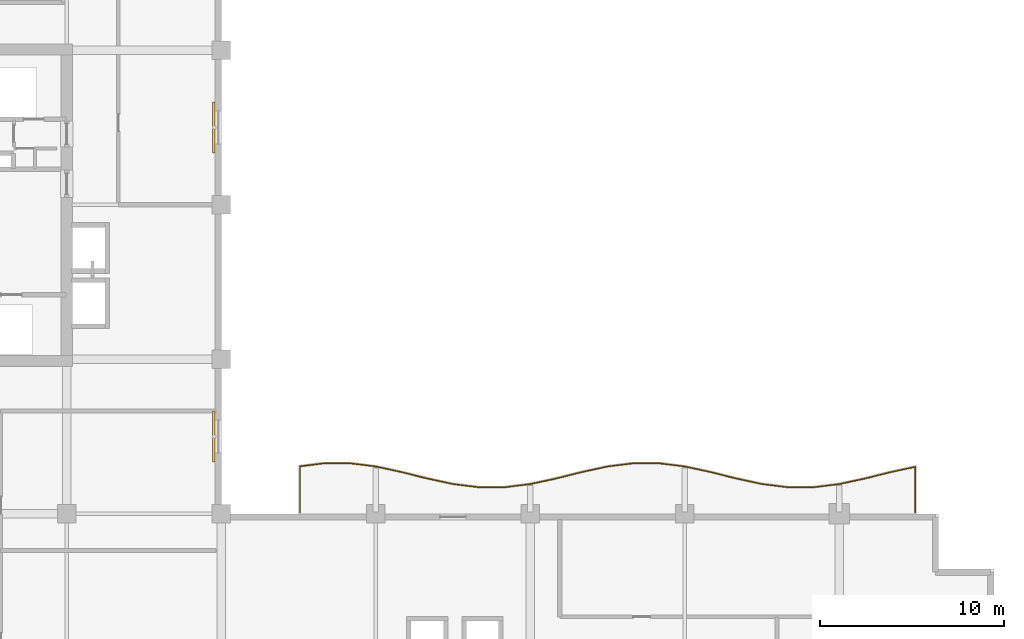
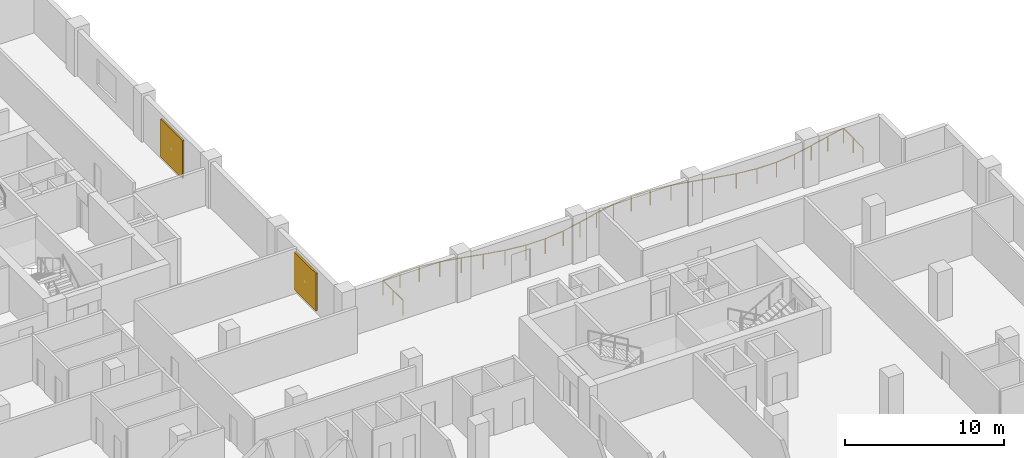
# One storey, part 15 of 15: 2 shading devices, 1 railing.
"""IFC4 building model written with IfcOpenShell, lengths in metres."""

from ifc_helpers import new_model, si_unit, direction, frame, origin, origin_2d, place, context, subcontext, project, spatial, rectangle, circle, extrude, material, layer, layer_set, type_object, element, save


model = new_model("IFC4")

# Units and contexts
model_context = context("Model", 3, precision=1e-05, world=origin(), true_north=direction((0.0, 1.0)))
body_context = subcontext(model_context, "Body", "Model", "MODEL_VIEW")
ifc_project = project(units=[si_unit("LENGTHUNIT", "METRE"), si_unit("AREAUNIT", "SQUARE_METRE"), si_unit("VOLUMEUNIT", "CUBIC_METRE"), si_unit("PLANEANGLEUNIT", "RADIAN"), si_unit("MASSUNIT", "GRAM", prefix="KILO")], contexts=[model_context])

# Site, building, storey
site_placement = place(None, origin())
site = spatial("IfcSite", under=ifc_project, at=site_placement, CompositionType="ELEMENT")
building_placement = place(site_placement, origin())
building = spatial("IfcBuilding", under=site, at=building_placement, Name="Koriwani Terraces Tower", CompositionType="ELEMENT")
storey_placement = place(building_placement, frame((0.0, 0.0, 193.89990234375)))
storey = spatial("IfcBuildingStorey", under=building, at=storey_placement, Name="L47", CompositionType="ELEMENT", Elevation=193.89990234375)

# Railing
ifc_material_1 = material(Name="Steel ASTM A572 Grade 50", Category="steel")
railing_type = type_object("IfcRailingType", Name="GUARD_BALUSTRADE_1150", PredefinedType="BALUSTRADE", material=ifc_material_1)
railing_placement = place(storey_placement, frame((71.320068359375, 33.679931640625, 0.0)))
element("IfcRailing", 1, at=railing_placement, inside=storey, type_object=railing_type, Name="L47 Balcony Perimeter Safety Balustrade (NE)", PredefinedType="BALUSTRADE", context=body_context, shape_type="SweptSolid", body=[
    extrude(circle(Radius=0.02392578125, at=origin_2d()), frame((0.0, 0.0, 1.1259765625), z_axis=(0.0, 1.0, 0.0), x_axis=(-1.0, 0.0, 0.0)), (0.0, 0.0, 1.0), 2.473388671875),
    extrude(circle(Radius=0.02392578125, at=origin_2d()), frame((0.0, 2.473388671875, 1.1259765625), z_axis=(-0.977417234878, -0.211318595877, 0.0), x_axis=(0.211318595877, -0.977417234878, 0.0)), (0.0, 0.0, 1.0), 1.33203125),
    extrude(circle(Radius=0.02392578125, at=origin_2d()), frame((-1.302001953125, 2.19189453125, 1.1259765625), z_axis=(-0.970241952903, -0.242137466795, 0.0), x_axis=(0.242137466795, -0.970241952903, 0.0)), (0.0, 0.0, 1.0), 1.44287109375),
    extrude(circle(Radius=0.02392578125, at=origin_2d()), frame((-2.701904296875, 1.842529296875, 1.1259765625), z_axis=(-0.977453031353, -0.21115295759, 0.0), x_axis=(0.21115295759, -0.977453031353, 0.0)), (0.0, 0.0, 1.0), 1.437255859375),
    extrude(circle(Radius=0.02392578125, at=origin_2d()), frame((-4.106689453125, 1.5390625, 1.1259765625), z_axis=(-0.992301674614, -0.12384420276, 0.0), x_axis=(0.12384420276, -0.992301674614, 0.0)), (0.0, 0.0, 1.0), 1.41943359375),
    extrude(circle(Radius=0.02392578125, at=origin_2d()), frame((-5.51513671875, 1.36328125, 1.1259765625), z_axis=(-1.0, 0.0, 0.0), x_axis=(0.0, -1.0, 0.0)), (0.0, 0.0, 1.0), 1.409912109375),
    extrude(circle(Radius=0.02392578125, at=origin_2d()), frame((-6.925048828125, 1.36328125, 1.1259765625), z_axis=(-0.992301674614, 0.12384420276, 0.0), x_axis=(-0.12384420276, -0.992301674614, 0.0)), (0.0, 0.0, 1.0), 1.41943359375),
    extrude(circle(Radius=0.02392578125, at=origin_2d()), frame((-8.33349609375, 1.5390625, 1.1259765625), z_axis=(-0.977453031353, 0.21115295759, 0.0), x_axis=(-0.21115295759, -0.977453031353, 0.0)), (0.0, 0.0, 1.0), 1.437255859375),
    extrude(circle(Radius=0.02392578125, at=origin_2d()), frame((-9.73828125, 1.842529296875, 1.1259765625), z_axis=(-0.970241952903, 0.242137466795, 0.0), x_axis=(-0.242137466795, -0.970241952903, 0.0)), (0.0, 0.0, 1.0), 1.44287109375),
    extrude(circle(Radius=0.02392578125, at=origin_2d()), frame((-11.13818359375, 2.19189453125, 1.1259765625), z_axis=(-0.977438029446, 0.211222391315, 0.0), x_axis=(-0.211222391315, -0.977438029446, 0.0)), (0.0, 0.0, 1.0), 1.427490234375),
    extrude(circle(Radius=0.02392578125, at=origin_2d()), frame((-12.533447265625, 2.493408203125, 1.1259765625), z_axis=(-0.992309982997, 0.123777613669, 0.0), x_axis=(-0.123777613669, -0.992309982997, 0.0)), (0.0, 0.0, 1.0), 1.40234375),
    extrude(circle(Radius=0.02392578125, at=origin_2d()), frame((-13.925048828125, 2.6669921875, 1.1259765625), z_axis=(-1.0, 0.0, 0.0), x_axis=(0.0, -1.0, 0.0)), (0.0, 0.0, 1.0), 1.39013671875),
    extrude(circle(Radius=0.02392578125, at=origin_2d()), frame((-15.315185546875, 2.6669921875, 1.1259765625), z_axis=(-0.992309982997, -0.123777613669, 0.0), x_axis=(0.123777613669, -0.992309982997, 0.0)), (0.0, 0.0, 1.0), 1.40234375),
    extrude(circle(Radius=0.02392578125, at=origin_2d()), frame((-16.706787109375, 2.493408203125, 1.1259765625), z_axis=(-0.977438029446, -0.211222391315, 0.0), x_axis=(0.211222391315, -0.977438029446, 0.0)), (0.0, 0.0, 1.0), 1.427490234375),
    extrude(circle(Radius=0.02392578125, at=origin_2d()), frame((-18.10205078125, 2.19189453125, 1.1259765625), z_axis=(-0.970241952903, -0.242137466795, 0.0), x_axis=(0.242137466795, -0.970241952903, 0.0)), (0.0, 0.0, 1.0), 1.44287109375),
    extrude(circle(Radius=0.02392578125, at=origin_2d()), frame((-19.501953125, 1.842529296875, 1.1259765625), z_axis=(-0.977453031353, -0.21115295759, 0.0), x_axis=(0.21115295759, -0.977453031353, 0.0)), (0.0, 0.0, 1.0), 1.437255859375),
    extrude(circle(Radius=0.02392578125, at=origin_2d()), frame((-20.90673828125, 1.5390625, 1.1259765625), z_axis=(-0.992301674614, -0.12384420276, 0.0), x_axis=(0.12384420276, -0.992301674614, 0.0)), (0.0, 0.0, 1.0), 1.41943359375),
    extrude(circle(Radius=0.02392578125, at=origin_2d()), frame((-22.315185546875, 1.36328125, 1.1259765625), z_axis=(-1.0, 0.0, 0.0), x_axis=(0.0, -1.0, 0.0)), (0.0, 0.0, 1.0), 1.409912109375),
    extrude(circle(Radius=0.02392578125, at=origin_2d()), frame((-23.72509765625, 1.36328125, 1.1259765625), z_axis=(-0.992301674614, 0.12384420276, 0.0), x_axis=(-0.12384420276, -0.992301674614, 0.0)), (0.0, 0.0, 1.0), 1.41943359375),
    extrude(circle(Radius=0.02392578125, at=origin_2d()), frame((-25.133544921875, 1.5390625, 1.1259765625), z_axis=(-0.977445455552, 0.211188023857, 0.0), x_axis=(-0.211188023857, -0.977445455552, 0.0)), (0.0, 0.0, 1.0), 1.43701171875),
    extrude(circle(Radius=0.02392578125, at=origin_2d()), frame((-26.5380859375, 1.842529296875, 1.1259765625), z_axis=(-0.970251871253, 0.242097720621, 0.0), x_axis=(-0.242097720621, -0.970251871253, 0.0)), (0.0, 0.0, 1.0), 1.443115234375),
    extrude(circle(Radius=0.02392578125, at=origin_2d()), frame((-27.938232421875, 2.19189453125, 1.1259765625), z_axis=(-0.977438029446, 0.211222391315, 0.0), x_axis=(-0.211222391315, -0.977438029446, 0.0)), (0.0, 0.0, 1.0), 1.427490234375),
    extrude(circle(Radius=0.02392578125, at=origin_2d()), frame((-29.33349609375, 2.493408203125, 1.1259765625), z_axis=(-0.992309982997, 0.123777613669, 0.0), x_axis=(-0.123777613669, -0.992309982997, 0.0)), (0.0, 0.0, 1.0), 1.40234375),
    extrude(circle(Radius=0.02392578125, at=origin_2d()), frame((-30.72509765625, 2.6669921875, 1.1259765625), z_axis=(-1.0, 0.0, 0.0), x_axis=(0.0, -1.0, 0.0)), (0.0, 0.0, 1.0), 1.389892578125),
    extrude(circle(Radius=0.02392578125, at=origin_2d()), frame((-32.114990234375, 2.6669921875, 1.1259765625), z_axis=(-0.992311590161, -0.123764728544, 0.0), x_axis=(0.123764728544, -0.992311590161, 0.0)), (0.0, 0.0, 1.0), 1.33544921875),
    extrude(circle(Radius=0.02392578125, at=origin_2d()), frame((-33.440185546875, 2.501708984375, 1.1259765625), z_axis=(0.0, -1.0, 0.0), x_axis=(1.0, 0.0, 0.0)), (0.0, 0.0, 1.0), 2.501708984375),
    extrude(circle(Radius=0.02099609375, at=origin_2d()), origin(), (0.0, 0.0, 1.0), 1.101806640625),
    extrude(circle(Radius=0.02099609375, at=origin_2d()), frame((0.0, 1.23681640625, 0.0)), (0.0, 0.0, 1.0), 1.101806640625),
    extrude(circle(Radius=0.02099609375, at=origin_2d()), frame((0.0, 2.473388671875, 0.0)), (0.0, 0.0, 1.0), 1.101806640625),
    extrude(circle(Radius=0.02099609375, at=origin_2d()), frame((-1.302001953125, 2.19189453125, 0.0)), (0.0, 0.0, 1.0), 1.101806640625),
    extrude(circle(Radius=0.02099609375, at=origin_2d()), frame((-2.701904296875, 1.842529296875, 0.0)), (0.0, 0.0, 1.0), 1.101806640625),
    extrude(circle(Radius=0.02099609375, at=origin_2d()), frame((-4.106689453125, 1.5390625, 0.0)), (0.0, 0.0, 1.0), 1.101806640625),
    extrude(circle(Radius=0.02099609375, at=origin_2d()), frame((-5.51513671875, 1.36328125, 0.0)), (0.0, 0.0, 1.0), 1.101806640625),
    extrude(circle(Radius=0.02099609375, at=origin_2d()), frame((-6.925048828125, 1.36328125, 0.0)), (0.0, 0.0, 1.0), 1.101806640625),
    extrude(circle(Radius=0.02099609375, at=origin_2d()), frame((-8.33349609375, 1.5390625, 0.0)), (0.0, 0.0, 1.0), 1.101806640625),
    extrude(circle(Radius=0.02099609375, at=origin_2d()), frame((-9.73828125, 1.842529296875, 0.0)), (0.0, 0.0, 1.0), 1.101806640625),
    extrude(circle(Radius=0.02099609375, at=origin_2d()), frame((-11.13818359375, 2.19189453125, 0.0)), (0.0, 0.0, 1.0), 1.101806640625),
    extrude(circle(Radius=0.02099609375, at=origin_2d()), frame((-12.533447265625, 2.493408203125, 0.0)), (0.0, 0.0, 1.0), 1.101806640625),
    extrude(circle(Radius=0.02099609375, at=origin_2d()), frame((-13.925048828125, 2.6669921875, 0.0)), (0.0, 0.0, 1.0), 1.101806640625),
    extrude(circle(Radius=0.02099609375, at=origin_2d()), frame((-15.315185546875, 2.6669921875, 0.0)), (0.0, 0.0, 1.0), 1.101806640625),
    extrude(circle(Radius=0.02099609375, at=origin_2d()), frame((-16.706787109375, 2.493408203125, 0.0)), (0.0, 0.0, 1.0), 1.101806640625),
    extrude(circle(Radius=0.02099609375, at=origin_2d()), frame((-18.10205078125, 2.19189453125, 0.0)), (0.0, 0.0, 1.0), 1.101806640625),
    extrude(circle(Radius=0.02099609375, at=origin_2d()), frame((-19.501953125, 1.842529296875, 0.0)), (0.0, 0.0, 1.0), 1.101806640625),
    extrude(circle(Radius=0.02099609375, at=origin_2d()), frame((-20.90673828125, 1.5390625, 0.0)), (0.0, 0.0, 1.0), 1.101806640625),
    extrude(circle(Radius=0.02099609375, at=origin_2d()), frame((-22.315185546875, 1.36328125, 0.0)), (0.0, 0.0, 1.0), 1.101806640625),
    extrude(circle(Radius=0.02099609375, at=origin_2d()), frame((-23.72509765625, 1.36328125, 0.0)), (0.0, 0.0, 1.0), 1.101806640625),
    extrude(circle(Radius=0.02099609375, at=origin_2d()), frame((-25.133544921875, 1.5390625, 0.0)), (0.0, 0.0, 1.0), 1.101806640625),
    extrude(circle(Radius=0.02099609375, at=origin_2d()), frame((-26.5380859375, 1.842529296875, 0.0)), (0.0, 0.0, 1.0), 1.101806640625),
    extrude(circle(Radius=0.02099609375, at=origin_2d()), frame((-27.938232421875, 2.19189453125, 0.0)), (0.0, 0.0, 1.0), 1.101806640625),
    extrude(circle(Radius=0.02099609375, at=origin_2d()), frame((-29.33349609375, 2.493408203125, 0.0)), (0.0, 0.0, 1.0), 1.101806640625),
    extrude(circle(Radius=0.02099609375, at=origin_2d()), frame((-30.72509765625, 2.6669921875, 0.0)), (0.0, 0.0, 1.0), 1.101806640625),
    extrude(circle(Radius=0.02099609375, at=origin_2d()), frame((-32.114990234375, 2.6669921875, 0.0)), (0.0, 0.0, 1.0), 1.101806640625),
    extrude(circle(Radius=0.02099609375, at=origin_2d()), frame((-33.440185546875, 2.501708984375, 0.0)), (0.0, 0.0, 1.0), 1.101806640625),
    extrude(circle(Radius=0.02099609375, at=origin_2d()), frame((-33.440185546875, 1.2509765625, 0.0)), (0.0, 0.0, 1.0), 1.101806640625),
    extrude(circle(Radius=0.02099609375, at=origin_2d()), frame((-33.440185546875, 0.0, 0.0)), (0.0, 0.0, 1.0), 1.101806640625),
])

# Shading devices
ifc_material_2 = material(Name="Extruded Terracotta Clay", Category="masonry")
ifc_layer = layer(ifc_material_2, 0.1201171875, Name="Extruded Terracotta Clay")
ifc_layer_set = layer_set([ifc_layer], Name="Extruded Terracotta Clay")
shading_device_type = type_object("IfcShadingDeviceType", Name="TERRACOTTA_BAGUETTE_SCREEN_2800", PredefinedType="USERDEFINED", material=ifc_layer_set)
for number, where, z_axis, x_axis, name in (
    (2, (33.195068359375, 37.800048828125, 0.28515625), (0.0, 0.0, 1.0), (0.0, -1.0, 0.0), "L47 Extruded Terracotta Baguette Screen (NW_IN-2)"),
    (3, (33.195068359375, 54.60009765625, 0.28515625), (0.0, 0.0, 1.0), (0.0, -1.0, 0.0), "L47 Extruded Terracotta Baguette Screen (NW_IN-8)"),
):
    element("IfcShadingDevice", number, at=place(storey_placement, frame(where, z_axis=z_axis, x_axis=x_axis)), inside=storey, type_object=shading_device_type, Name=name, ObjectType="BAGUETTE", PredefinedType="USERDEFINED", context=body_context, shape_type="SweptSolid", body=[
        extrude(rectangle(XDim=2.760009765625, YDim=0.1201171875, at=origin_2d()), origin(), (0.0, 0.0, 1.0), 2.89990234375),
    ])

save(model, "model.ifc")
